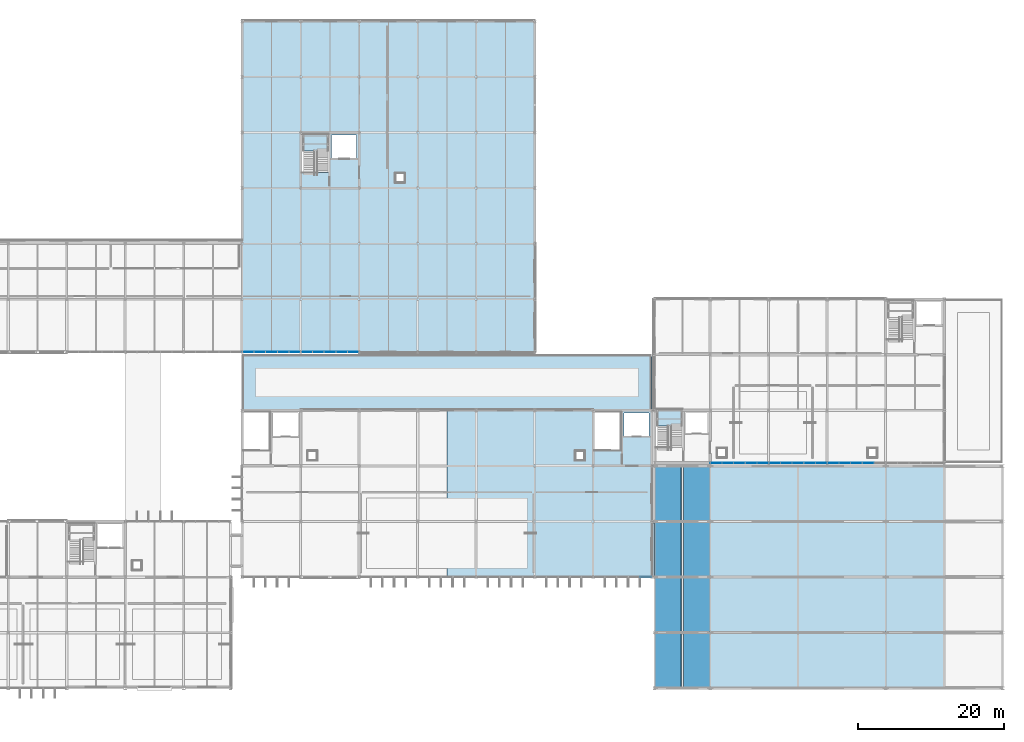
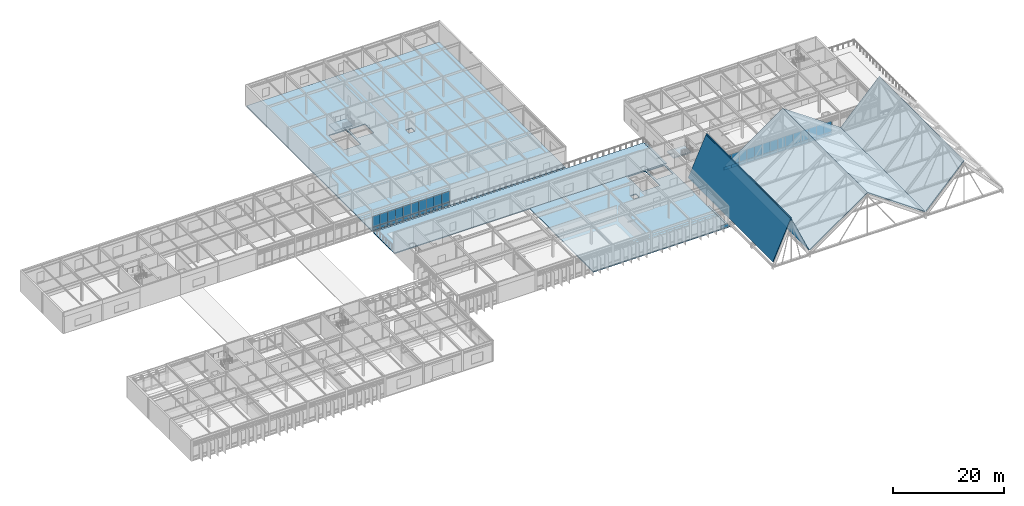
# One storey, part 74 of 100: 49 plates, 12 slabs, 9 elements without a shape of their own.
"""IFC4 building model written with IfcOpenShell, lengths in metres."""

import ifcopenshell
import ifcopenshell.guid

model = None  # the IFC model being written
_history = None  # IfcOwnerHistory: only IFC2X3 demands one
_inside = {}  # id of a spatial element -> (the spatial element, [elements in it])
_under = {}  # id of a project, library or spatial element -> (it, [spatial elements below it])
_declared = {}  # id of a project -> (the project, [libraries it declares])
_typed = {}  # id of a type object -> (the type object, [elements of that type])
_made_of = {}  # id of a material, layer set ... -> (it, [elements and type objects made of it])


def new_model(schema):
    """Start an empty IFC model of exactly this schema.

    Asked for "IFC4X3", IfcOpenShell would pick the latest addendum, in which some entities
    have other attributes; the version numbers below select the first issue.
    IFC2X3 requires an IfcOwnerHistory on every rooted entity: one is made here for all.
    """
    global model, _history
    if schema == "IFC4X3":
        model = ifcopenshell.file(schema_version=(4, 3, 0, 0))
    else:
        model = ifcopenshell.file(schema=schema)
    _inside.clear()
    _under.clear()
    _declared.clear()
    _typed.clear()
    _made_of.clear()
    _history = None
    if model.schema == "IFC2X3":
        org = make("IfcOrganization", Name="unknown")
        user = make(
            "IfcPersonAndOrganization",
            ThePerson=make("IfcPerson", FamilyName="unknown"),
            TheOrganization=org,
        )
        app = make(
            "IfcApplication",
            ApplicationDeveloper=org,
            Version="unknown",
            ApplicationFullName="unknown",
            ApplicationIdentifier="unknown",
        )
        _history = make(
            "IfcOwnerHistory",
            OwningUser=user,
            OwningApplication=app,
            ChangeAction="ADDED",
            CreationDate=0,
        )
    return model


def make(cls, **values):
    """One entity of the class cls with the attributes given. An attribute that is None is left unset."""
    return model.create_entity(
        cls, **{name: value for name, value in values.items() if value is not None}
    )


def rooted(cls, **values):
    """An entity with a GlobalId (a new one), such as an element, a storey or a relation."""
    return make(cls, GlobalId=ifcopenshell.guid.new(), OwnerHistory=_history, **values)


def si_unit(unit_type, name, prefix=None):
    """IfcSIUnit, for example si_unit("LENGTHUNIT", "METRE", prefix="MILLI")."""
    return make("IfcSIUnit", UnitType=unit_type, Prefix=prefix, Name=name)


def assignment(units):
    """IfcUnitAssignment: the units of a project."""
    return None if units is None else make("IfcUnitAssignment", Units=units)


def point(xyz):
    """IfcCartesianPoint."""
    return None if xyz is None else make("IfcCartesianPoint", Coordinates=xyz)


def direction(xyz):
    """IfcDirection."""
    return None if xyz is None else make("IfcDirection", DirectionRatios=xyz)


def frame(location, z_axis=None, x_axis=None):
    """IfcAxis2Placement3D, a coordinate frame: its origin and axes. An axis left out is left unset."""
    return make(
        "IfcAxis2Placement3D",
        Location=point(location),
        Axis=direction(z_axis),
        RefDirection=direction(x_axis),
    )


def frame_2d(location, x_axis=None):
    """IfcAxis2Placement2D, a coordinate frame in the plane: its origin and x axis."""
    return make(
        "IfcAxis2Placement2D", Location=point(location), RefDirection=direction(x_axis)
    )


def origin():
    """The frame at (0, 0, 0) with its axes left unset."""
    return frame((0.0, 0.0, 0.0))


def origin_2d():
    """The frame at (0, 0) in the plane with its x axis left unset."""
    return frame_2d((0.0, 0.0))


def place(relative_to, where):
    """IfcLocalPlacement: puts the frame where relative to a parent placement (None: the world)."""
    return make(
        "IfcLocalPlacement", PlacementRelTo=relative_to, RelativePlacement=where
    )


def context(
    kind, dimensions, precision=None, world=None, true_north=None, identifier=None
):
    """IfcGeometricRepresentationContext, for example the 3D "Model" context."""
    return make(
        "IfcGeometricRepresentationContext",
        ContextIdentifier=identifier,
        ContextType=kind,
        CoordinateSpaceDimension=dimensions,
        Precision=precision,
        WorldCoordinateSystem=world,
        TrueNorth=true_north,
    )


def subcontext(parent, identifier, kind, view, scale=None):
    """IfcGeometricRepresentationSubContext, for example "Body" below "Model"."""
    return make(
        "IfcGeometricRepresentationSubContext",
        ContextIdentifier=identifier,
        ContextType=kind,
        ParentContext=parent,
        TargetScale=scale,
        TargetView=view,
    )


def project(units=None, contexts=None):
    """IfcProject with its units and contexts."""
    return rooted(
        "IfcProject",
        Name="project",
        RepresentationContexts=contexts,
        UnitsInContext=assignment(units),
    )


def spatial(cls, under=None, at=None, **own):
    """A site, building, storey or space (cls), placed at a placement, below another one or the project."""
    s = rooted(cls, ObjectPlacement=at, **own)
    if under is not None:
        _under.setdefault(under.id(), (under, []))[1].append(s)
    return s


def polyline(points):
    """IfcPolyline through the points."""
    return make("IfcPolyline", Points=[point(p) for p in points])


def profile(cls, at=None, kind="AREA", **sizes):
    """A parametric profile (cls). Its sizes go by their IFC names, for example OverallWidth=200.0."""
    return make(cls, ProfileType=kind, Position=at, **sizes)


def rectangle(**sizes):
    """IfcRectangleProfileDef."""
    return profile("IfcRectangleProfileDef", **sizes)


def outline(outer, holes=None, kind="AREA"):
    """IfcArbitraryClosedProfileDef: a profile drawn as a closed curve; with holes, ...WithVoids."""
    if holes is None:
        return make("IfcArbitraryClosedProfileDef", ProfileType=kind, OuterCurve=outer)
    return make(
        "IfcArbitraryProfileDefWithVoids",
        ProfileType=kind,
        OuterCurve=outer,
        InnerCurves=holes,
    )


def extrude(swept, where, along, depth):
    """IfcExtrudedAreaSolid: the profile swept, set in the frame where, extruded along a direction by depth."""
    return make(
        "IfcExtrudedAreaSolid",
        SweptArea=swept,
        Position=where,
        ExtrudedDirection=direction(along),
        Depth=depth,
    )


def shape(context_of_items, identifier, shape_type, items):
    """IfcShapeRepresentation: the items that make up one representation, for example the "Body"."""
    return make(
        "IfcShapeRepresentation",
        ContextOfItems=context_of_items,
        RepresentationIdentifier=identifier,
        RepresentationType=shape_type,
        Items=items,
    )


def material(Name=None, Category=None):
    """IfcMaterial."""
    return make("IfcMaterial", Name=Name, Category=Category)


def layer(
    of_material, thickness, ventilated=None, Name=None, Category=None, Priority=None
):
    """IfcMaterialLayer: one layer of a wall or slab, of a material (None: an air gap)."""
    return make(
        "IfcMaterialLayer",
        Material=of_material,
        LayerThickness=thickness,
        IsVentilated=ventilated,
        Name=Name,
        Category=Category,
        Priority=Priority,
    )


def layer_set(layers, Name=None):
    """IfcMaterialLayerSet."""
    return make("IfcMaterialLayerSet", MaterialLayers=layers, LayerSetName=Name)


def made_of(thing, what):
    """Note that an element or type object is made of a material, layer set ...; save() writes the relation."""
    if what is not None:
        _made_of.setdefault(what.id(), (what, []))[1].append(thing)
    return thing


def type_object(cls, material=None, **own):
    """A type object (cls), such as IfcWallType, which elements share."""
    return made_of(rooted(cls, **own), material)


def element(
    cls,
    number,
    at=None,
    inside=None,
    cuts=None,
    type_object=None,
    material=None,
    context=None,
    identifier="Body",
    shape_type=None,
    held_by="IfcProductDefinitionShape",
    body=None,
    shapes=None,
    **own,
):
    """One element of the class cls, such as IfcWall. Its Tag is "e" and its number.

    at: its placement. inside: the storey or other place that contains it. cuts: it is an
    opening in that element (IfcRelVoidsElement). A single representation is given by context,
    identifier, shape_type and body (its items); several are given by shapes. held_by: the class
    of the entity that holds the representations. save() writes the other relations.
    """
    e = rooted(cls, Tag="e%d" % number, ObjectPlacement=at, **own)
    if body is not None:
        shapes = [shape(context, identifier, shape_type, body)]
    if shapes is not None:
        e.Representation = make(held_by, Representations=shapes)
    if inside is not None:
        _inside.setdefault(inside.id(), (inside, []))[1].append(e)
    if cuts is not None:
        rooted(
            "IfcRelVoidsElement", RelatingBuildingElement=cuts, RelatedOpeningElement=e
        )
    if type_object is not None:
        _typed.setdefault(type_object.id(), (type_object, []))[1].append(e)
    return made_of(e, material)


def aggregate(whole, parts):
    """IfcRelAggregates: a whole, such as a stair, and the parts it consists of."""
    return rooted("IfcRelAggregates", RelatingObject=whole, RelatedObjects=parts)


def save(model, path):
    """Write the relations noted so far, then the file.

    IfcRelAggregates (storeys below a building ...), IfcRelContainedInSpatialStructure (elements
    in a storey), IfcRelDefinesByType, IfcRelAssociatesMaterial and IfcRelDeclares: one each for
    every whole, place, type object, material and project.
    """
    for whole, parts in _under.values():
        aggregate(whole, parts)
    for where, things in _inside.values():
        rooted(
            "IfcRelContainedInSpatialStructure",
            RelatedElements=things,
            RelatingStructure=where,
        )
    for kind, things in _typed.values():
        rooted("IfcRelDefinesByType", RelatedObjects=things, RelatingType=kind)
    for what, things in _made_of.values():
        rooted("IfcRelAssociatesMaterial", RelatedObjects=things, RelatingMaterial=what)
    for by, libraries in _declared.values():
        rooted("IfcRelDeclares", RelatingContext=by, RelatedDefinitions=libraries)
    model.write(path)


model = new_model("IFC4")

# Units and contexts
model_context = context("Model", 3, precision=1e-05, world=origin(), true_north=direction((0.0, 1.0)))
body_context = subcontext(model_context, "Body", "Model", "MODEL_VIEW")
ifc_project = project(units=[si_unit("LENGTHUNIT", "METRE"), si_unit("AREAUNIT", "SQUARE_METRE"), si_unit("VOLUMEUNIT", "CUBIC_METRE"), si_unit("PLANEANGLEUNIT", "RADIAN"), si_unit("MASSUNIT", "GRAM", prefix="KILO")], contexts=[model_context])

# Site, building, storey
site_placement = place(None, origin())
site = spatial("IfcSite", under=ifc_project, at=site_placement, CompositionType="ELEMENT")
building_placement = place(site_placement, origin())
building = spatial("IfcBuilding", under=site, at=building_placement, Name="Zulena Civic Courthouse", CompositionType="ELEMENT")
storey_placement = place(building_placement, frame((0.0, 0.0, 20.39990234375)))
storey = spatial("IfcBuildingStorey", under=building, at=storey_placement, Name="L04", CompositionType="ELEMENT", Elevation=20.39990234375)

# Slabs
ifc_material_1 = material(Name="Concrete C35/45", Category="concrete")
ifc_layer_1 = layer(ifc_material_1, 0.169921875)
ifc_layer_set_1 = layer_set([ifc_layer_1], Name="Concrete C35/45")
slab_type_1 = type_object("IfcSlabType", Name="BridgeRoofSlab_170", PredefinedType="ROOF", material=ifc_layer_set_1)
slab_1_placement = place(storey_placement, frame((0.0, 0.0, -0.169921875)))
element("IfcSlab", 1, at=slab_1_placement, inside=storey, type_object=slab_type_1, Name="slab:bridgeroof:BR-41", PredefinedType="ROOF", context=body_context, shape_type="SweptSolid", body=[
    extrude(outline(polyline([(124.0, 15.199951171875), (124.39990234375, 15.199951171875), (124.39990234375, 22.60009765625), (124.0, 22.60009765625), (124.0, 15.199951171875)])), origin(), (0.0, 0.0, 1.0), 0.169921875),
])
slab_2_placement = place(storey_placement, frame((0.0, 0.0, -0.169921875)))
element("IfcSlab", 2, at=slab_2_placement, inside=storey, type_object=slab_type_1, Name="slab:bridgeroof:BR-43", PredefinedType="ROOF", context=body_context, shape_type="SweptSolid", body=[
    extrude(outline(polyline([(124.0, 38.0), (124.39990234375, 38.0), (124.39990234375, 45.39990234375), (124.0, 45.39990234375), (124.0, 38.0)])), origin(), (0.0, 0.0, 1.0), 0.169921875),
])

# Curtain wall, plates
ifc_material_2 = material(Name="Double-silver low-E laminated solar-control glass", Category="glass")
curtain_wall_type_1 = type_object("IfcCurtainWallType", Name="CW_7976x3635", PredefinedType="USERDEFINED", material=ifc_material_2)
curtain_wall_1_placement = place(storey_placement, origin())
curtain_wall_1 = element("IfcCurtainWall", 3, at=curtain_wall_1_placement, inside=storey, type_object=curtain_wall_type_1, Name="cw:V3:L04:3:1", ObjectType="UNITISED CURTAIN WALL", PredefinedType="USERDEFINED")
ifc_material_3 = material(Name="Ceramic-fritted insulated spandrel glass", Category="glass")
ifc_layer_2 = layer(ifc_material_3, 0.0458984375)
ifc_layer_set_2 = layer_set([ifc_layer_2], Name="Ceramic-fritted insulated spandrel glass")
plate_type_1 = type_object("IfcPlateType", Name="CWPanel_Spandrel_46", PredefinedType="CURTAIN_PANEL", material=ifc_layer_set_2)
plate_1_placement = place(storey_placement, frame((153.59521484375, 30.800048828125, 0.070068359375), z_axis=(0.0, 0.0, 1.0), x_axis=(-1.0, 0.0, 0.0)))
plate_1 = element("IfcPlate", 4, at=plate_1_placement, type_object=plate_type_1, Name="cw:V3:L04:3:1:panS:1", PredefinedType="CURTAIN_PANEL", context=body_context, shape_type="SweptSolid", body=[
    extrude(rectangle(XDim=1.544921875, YDim=0.0458984375, at=origin_2d()), origin(), (0.0, 0.0, 1.0), 0.669921875),
])
plate_2_placement = place(storey_placement, frame((152.0, 30.800048828125, 0.070068359375), z_axis=(0.0, 0.0, 1.0), x_axis=(-1.0, 0.0, 0.0)))
plate_2 = element("IfcPlate", 5, at=plate_2_placement, type_object=plate_type_1, Name="cw:V3:L04:3:1:panS:2", PredefinedType="CURTAIN_PANEL", context=body_context, shape_type="SweptSolid", body=[
    extrude(rectangle(XDim=1.544921875, YDim=0.0458984375, at=origin_2d()), origin(), (0.0, 0.0, 1.0), 0.669921875),
])
plate_3_placement = place(storey_placement, frame((150.40478515625, 30.800048828125, 0.070068359375), z_axis=(0.0, 0.0, 1.0), x_axis=(-1.0, 0.0, 0.0)))
plate_3 = element("IfcPlate", 6, at=plate_3_placement, type_object=plate_type_1, Name="cw:V3:L04:3:1:panS:3", PredefinedType="CURTAIN_PANEL", context=body_context, shape_type="SweptSolid", body=[
    extrude(rectangle(XDim=1.544921875, YDim=0.0458984375, at=origin_2d()), origin(), (0.0, 0.0, 1.0), 0.669921875),
])
plate_4_placement = place(storey_placement, frame((148.8095703125, 30.800048828125, 0.070068359375), z_axis=(0.0, 0.0, 1.0), x_axis=(-1.0, 0.0, 0.0)))
plate_4 = element("IfcPlate", 7, at=plate_4_placement, type_object=plate_type_1, Name="cw:V3:L04:3:1:panS:4", PredefinedType="CURTAIN_PANEL", context=body_context, shape_type="SweptSolid", body=[
    extrude(rectangle(XDim=1.544921875, YDim=0.0458984375, at=origin_2d()), origin(), (0.0, 0.0, 1.0), 0.669921875),
])

curtain_wall_2_placement = place(storey_placement, origin())
curtain_wall_2 = element("IfcCurtainWall", 8, at=curtain_wall_2_placement, inside=storey, type_object=curtain_wall_type_1, Name="cw:V3:L04:3:2", ObjectType="UNITISED CURTAIN WALL", PredefinedType="USERDEFINED")
plate_5_placement = place(storey_placement, frame((147.1904296875, 30.800048828125, 0.070068359375), z_axis=(0.0, 0.0, 1.0), x_axis=(-1.0, 0.0, 0.0)))
plate_5 = element("IfcPlate", 9, at=plate_5_placement, type_object=plate_type_1, Name="cw:V3:L04:3:2:panS:0", PredefinedType="CURTAIN_PANEL", context=body_context, shape_type="SweptSolid", body=[
    extrude(rectangle(XDim=1.544921875, YDim=0.0458984375, at=origin_2d()), origin(), (0.0, 0.0, 1.0), 0.669921875),
])
plate_6_placement = place(storey_placement, frame((145.59521484375, 30.800048828125, 0.070068359375), z_axis=(0.0, 0.0, 1.0), x_axis=(-1.0, 0.0, 0.0)))
plate_6 = element("IfcPlate", 10, at=plate_6_placement, type_object=plate_type_1, Name="cw:V3:L04:3:2:panS:1", PredefinedType="CURTAIN_PANEL", context=body_context, shape_type="SweptSolid", body=[
    extrude(rectangle(XDim=1.544921875, YDim=0.0458984375, at=origin_2d()), origin(), (0.0, 0.0, 1.0), 0.669921875),
])
plate_7_placement = place(storey_placement, frame((144.0, 30.800048828125, 0.070068359375), z_axis=(0.0, 0.0, 1.0), x_axis=(-1.0, 0.0, 0.0)))
plate_7 = element("IfcPlate", 11, at=plate_7_placement, type_object=plate_type_1, Name="cw:V3:L04:3:2:panS:2", PredefinedType="CURTAIN_PANEL", context=body_context, shape_type="SweptSolid", body=[
    extrude(rectangle(XDim=1.544921875, YDim=0.0458984375, at=origin_2d()), origin(), (0.0, 0.0, 1.0), 0.669921875),
])
plate_8_placement = place(storey_placement, frame((142.40478515625, 30.800048828125, 0.070068359375), z_axis=(0.0, 0.0, 1.0), x_axis=(-1.0, 0.0, 0.0)))
plate_8 = element("IfcPlate", 12, at=plate_8_placement, type_object=plate_type_1, Name="cw:V3:L04:3:2:panS:3", PredefinedType="CURTAIN_PANEL", context=body_context, shape_type="SweptSolid", body=[
    extrude(rectangle(XDim=1.544921875, YDim=0.0458984375, at=origin_2d()), origin(), (0.0, 0.0, 1.0), 0.669921875),
])
plate_9_placement = place(storey_placement, frame((140.8095703125, 30.800048828125, 0.070068359375), z_axis=(0.0, 0.0, 1.0), x_axis=(-1.0, 0.0, 0.0)))
plate_9 = element("IfcPlate", 13, at=plate_9_placement, type_object=plate_type_1, Name="cw:V3:L04:3:2:panS:4", PredefinedType="CURTAIN_PANEL", context=body_context, shape_type="SweptSolid", body=[
    extrude(rectangle(XDim=1.544921875, YDim=0.0458984375, at=origin_2d()), origin(), (0.0, 0.0, 1.0), 0.669921875),
])

curtain_wall_3_placement = place(storey_placement, origin())
curtain_wall_3 = element("IfcCurtainWall", 14, at=curtain_wall_3_placement, inside=storey, type_object=curtain_wall_type_1, Name="cw:V3:L04:3:3", ObjectType="UNITISED CURTAIN WALL", PredefinedType="USERDEFINED")
plate_10_placement = place(storey_placement, frame((139.1904296875, 30.800048828125, 0.070068359375), z_axis=(0.0, 0.0, 1.0), x_axis=(-1.0, 0.0, 0.0)))
plate_10 = element("IfcPlate", 15, at=plate_10_placement, type_object=plate_type_1, Name="cw:V3:L04:3:3:panS:0", PredefinedType="CURTAIN_PANEL", context=body_context, shape_type="SweptSolid", body=[
    extrude(rectangle(XDim=1.544921875, YDim=0.0458984375, at=origin_2d()), origin(), (0.0, 0.0, 1.0), 0.669921875),
])
plate_11_placement = place(storey_placement, frame((137.59521484375, 30.800048828125, 0.070068359375), z_axis=(0.0, 0.0, 1.0), x_axis=(-1.0, 0.0, 0.0)))
plate_11 = element("IfcPlate", 16, at=plate_11_placement, type_object=plate_type_1, Name="cw:V3:L04:3:3:panS:1", PredefinedType="CURTAIN_PANEL", context=body_context, shape_type="SweptSolid", body=[
    extrude(rectangle(XDim=1.544921875, YDim=0.0458984375, at=origin_2d()), origin(), (0.0, 0.0, 1.0), 0.669921875),
])
plate_12_placement = place(storey_placement, frame((136.0, 30.800048828125, 0.070068359375), z_axis=(0.0, 0.0, 1.0), x_axis=(-1.0, 0.0, 0.0)))
plate_12 = element("IfcPlate", 17, at=plate_12_placement, type_object=plate_type_1, Name="cw:V3:L04:3:3:panS:2", PredefinedType="CURTAIN_PANEL", context=body_context, shape_type="SweptSolid", body=[
    extrude(rectangle(XDim=1.544921875, YDim=0.0458984375, at=origin_2d()), origin(), (0.0, 0.0, 1.0), 0.669921875),
])
plate_13_placement = place(storey_placement, frame((134.40478515625, 30.800048828125, 0.070068359375), z_axis=(0.0, 0.0, 1.0), x_axis=(-1.0, 0.0, 0.0)))
plate_13 = element("IfcPlate", 18, at=plate_13_placement, type_object=plate_type_1, Name="cw:V3:L04:3:3:panS:3", PredefinedType="CURTAIN_PANEL", context=body_context, shape_type="SweptSolid", body=[
    extrude(rectangle(XDim=1.544921875, YDim=0.0458984375, at=origin_2d()), origin(), (0.0, 0.0, 1.0), 0.669921875),
])
plate_14_placement = place(storey_placement, frame((132.8095703125, 30.800048828125, 0.070068359375), z_axis=(0.0, 0.0, 1.0), x_axis=(-1.0, 0.0, 0.0)))
plate_14 = element("IfcPlate", 19, at=plate_14_placement, type_object=plate_type_1, Name="cw:V3:L04:3:3:panS:4", PredefinedType="CURTAIN_PANEL", context=body_context, shape_type="SweptSolid", body=[
    extrude(rectangle(XDim=1.544921875, YDim=0.0458984375, at=origin_2d()), origin(), (0.0, 0.0, 1.0), 0.669921875),
])

# Curtain wall, plate
curtain_wall_type_2 = type_object("IfcCurtainWallType", Name="CW_7976x3690", PredefinedType="USERDEFINED", material=ifc_material_2)
curtain_wall_4_placement = place(storey_placement, origin())
curtain_wall_4 = element("IfcCurtainWall", 20, at=curtain_wall_4_placement, inside=storey, type_object=curtain_wall_type_2, Name="cw:V4:L04:3:0", ObjectType="UNITISED CURTAIN WALL", PredefinedType="USERDEFINED")
plate_15_placement = place(storey_placement, frame((123.1904296875, 15.199951171875, 0.070068359375), z_axis=(0.0, 0.0, 1.0), x_axis=(-1.0, 0.0, 0.0)))
plate_15 = element("IfcPlate", 21, at=plate_15_placement, type_object=plate_type_1, Name="cw:V4:L04:3:0:panS:0", PredefinedType="CURTAIN_PANEL", context=body_context, shape_type="SweptSolid", body=[
    extrude(rectangle(XDim=1.544921875, YDim=0.0458984375, at=origin_2d()), origin(), (0.0, 0.0, 1.0), 0.669921875),
])
aggregate(curtain_wall_4, [plate_15])

# Curtain wall, plates
curtain_wall_5_placement = place(storey_placement, origin())
curtain_wall_5 = element("IfcCurtainWall", 22, at=curtain_wall_5_placement, inside=storey, type_object=curtain_wall_type_2, Name="cw:V5:L04:5:3", ObjectType="UNITISED CURTAIN WALL", PredefinedType="USERDEFINED")
plate_16_placement = place(storey_placement, frame((83.1904296875, 46.0, 0.070068359375), z_axis=(0.0, 0.0, 1.0), x_axis=(-1.0, 0.0, 0.0)))
plate_16 = element("IfcPlate", 23, at=plate_16_placement, type_object=plate_type_1, Name="cw:V5:L04:5:3:panS:0", PredefinedType="CURTAIN_PANEL", context=body_context, shape_type="SweptSolid", body=[
    extrude(rectangle(XDim=1.544921875, YDim=0.0458984375, at=origin_2d()), origin(), (0.0, 0.0, 1.0), 0.669921875),
])
plate_17_placement = place(storey_placement, frame((81.59521484375, 46.0, 0.070068359375), z_axis=(0.0, 0.0, 1.0), x_axis=(-1.0, 0.0, 0.0)))
plate_17 = element("IfcPlate", 24, at=plate_17_placement, type_object=plate_type_1, Name="cw:V5:L04:5:3:panS:1", PredefinedType="CURTAIN_PANEL", context=body_context, shape_type="SweptSolid", body=[
    extrude(rectangle(XDim=1.544921875, YDim=0.0458984375, at=origin_2d()), origin(), (0.0, 0.0, 1.0), 0.669921875),
])
plate_18_placement = place(storey_placement, frame((80.0, 46.0, 0.070068359375), z_axis=(0.0, 0.0, 1.0), x_axis=(-1.0, 0.0, 0.0)))
plate_18 = element("IfcPlate", 25, at=plate_18_placement, type_object=plate_type_1, Name="cw:V5:L04:5:3:panS:2", PredefinedType="CURTAIN_PANEL", context=body_context, shape_type="SweptSolid", body=[
    extrude(rectangle(XDim=1.544921875, YDim=0.0458984375, at=origin_2d()), origin(), (0.0, 0.0, 1.0), 0.669921875),
])
plate_19_placement = place(storey_placement, frame((78.40478515625, 46.0, 0.070068359375), z_axis=(0.0, 0.0, 1.0), x_axis=(-1.0, 0.0, 0.0)))
plate_19 = element("IfcPlate", 26, at=plate_19_placement, type_object=plate_type_1, Name="cw:V5:L04:5:3:panS:3", PredefinedType="CURTAIN_PANEL", context=body_context, shape_type="SweptSolid", body=[
    extrude(rectangle(XDim=1.544921875, YDim=0.0458984375, at=origin_2d()), origin(), (0.0, 0.0, 1.0), 0.669921875),
])
plate_20_placement = place(storey_placement, frame((76.8095703125, 46.0, 0.070068359375), z_axis=(0.0, 0.0, 1.0), x_axis=(-1.0, 0.0, 0.0)))
plate_20 = element("IfcPlate", 27, at=plate_20_placement, type_object=plate_type_1, Name="cw:V5:L04:5:3:panS:4", PredefinedType="CURTAIN_PANEL", context=body_context, shape_type="SweptSolid", body=[
    extrude(rectangle(XDim=1.544921875, YDim=0.0458984375, at=origin_2d()), origin(), (0.0, 0.0, 1.0), 0.669921875),
])

curtain_wall_6_placement = place(storey_placement, origin())
curtain_wall_6 = element("IfcCurtainWall", 28, at=curtain_wall_6_placement, inside=storey, type_object=curtain_wall_type_2, Name="cw:V5:L04:5:4", ObjectType="UNITISED CURTAIN WALL", PredefinedType="USERDEFINED")
plate_21_placement = place(storey_placement, frame((75.1904296875, 46.0, 0.070068359375), z_axis=(0.0, 0.0, 1.0), x_axis=(-1.0, 0.0, 0.0)))
plate_21 = element("IfcPlate", 29, at=plate_21_placement, type_object=plate_type_1, Name="cw:V5:L04:5:4:panS:0", PredefinedType="CURTAIN_PANEL", context=body_context, shape_type="SweptSolid", body=[
    extrude(rectangle(XDim=1.544921875, YDim=0.0458984375, at=origin_2d()), origin(), (0.0, 0.0, 1.0), 0.669921875),
])
plate_22_placement = place(storey_placement, frame((73.59521484375, 46.0, 0.070068359375), z_axis=(0.0, 0.0, 1.0), x_axis=(-1.0, 0.0, 0.0)))
plate_22 = element("IfcPlate", 30, at=plate_22_placement, type_object=plate_type_1, Name="cw:V5:L04:5:4:panS:1", PredefinedType="CURTAIN_PANEL", context=body_context, shape_type="SweptSolid", body=[
    extrude(rectangle(XDim=1.544921875, YDim=0.0458984375, at=origin_2d()), origin(), (0.0, 0.0, 1.0), 0.669921875),
])
plate_23_placement = place(storey_placement, frame((72.0, 46.0, 0.070068359375), z_axis=(0.0, 0.0, 1.0), x_axis=(-1.0, 0.0, 0.0)))
plate_23 = element("IfcPlate", 31, at=plate_23_placement, type_object=plate_type_1, Name="cw:V5:L04:5:4:panS:2", PredefinedType="CURTAIN_PANEL", context=body_context, shape_type="SweptSolid", body=[
    extrude(rectangle(XDim=1.544921875, YDim=0.0458984375, at=origin_2d()), origin(), (0.0, 0.0, 1.0), 0.669921875),
])
plate_24_placement = place(storey_placement, frame((70.40478515625, 46.0, 0.070068359375), z_axis=(0.0, 0.0, 1.0), x_axis=(-1.0, 0.0, 0.0)))
plate_24 = element("IfcPlate", 32, at=plate_24_placement, type_object=plate_type_1, Name="cw:V5:L04:5:4:panS:3", PredefinedType="CURTAIN_PANEL", context=body_context, shape_type="SweptSolid", body=[
    extrude(rectangle(XDim=1.544921875, YDim=0.0458984375, at=origin_2d()), origin(), (0.0, 0.0, 1.0), 0.669921875),
])
plate_25_placement = place(storey_placement, frame((68.8095703125, 46.0, 0.070068359375), z_axis=(0.0, 0.0, 1.0), x_axis=(-1.0, 0.0, 0.0)))
plate_25 = element("IfcPlate", 33, at=plate_25_placement, type_object=plate_type_1, Name="cw:V5:L04:5:4:panS:4", PredefinedType="CURTAIN_PANEL", context=body_context, shape_type="SweptSolid", body=[
    extrude(rectangle(XDim=1.544921875, YDim=0.0458984375, at=origin_2d()), origin(), (0.0, 0.0, 1.0), 0.669921875),
])

# Plate
ifc_layer_3 = layer(ifc_material_2, 0.035888671875)
ifc_layer_set_3 = layer_set([ifc_layer_3], Name="Double-silver low-E laminated solar-control glass")
plate_type_2 = type_object("IfcPlateType", Name="CWPanel_Vision_36", PredefinedType="CURTAIN_PANEL", material=ifc_layer_set_3)
plate_26_placement = place(storey_placement, frame((153.59521484375, 30.800048828125, 0.760009765625), z_axis=(0.0, 0.0, 1.0), x_axis=(-1.0, 0.0, 0.0)))
plate_26 = element("IfcPlate", 34, at=plate_26_placement, type_object=plate_type_2, Name="cw:V3:L04:3:1:panV:1", PredefinedType="CURTAIN_PANEL", context=body_context, shape_type="SweptSolid", body=[
    extrude(rectangle(XDim=1.544921875, YDim=0.035888671875, at=origin_2d()), origin(), (0.0, 0.0, 1.0), 2.31494140625),
])

plate_27_placement = place(storey_placement, frame((152.0, 30.800048828125, 0.760009765625), z_axis=(0.0, 0.0, 1.0), x_axis=(-1.0, 0.0, 0.0)))
plate_27 = element("IfcPlate", 35, at=plate_27_placement, type_object=plate_type_2, Name="cw:V3:L04:3:1:panV:2", PredefinedType="CURTAIN_PANEL", context=body_context, shape_type="SweptSolid", body=[
    extrude(rectangle(XDim=1.544921875, YDim=0.035888671875, at=origin_2d()), origin(), (0.0, 0.0, 1.0), 2.31494140625),
])

plate_28_placement = place(storey_placement, frame((150.40478515625, 30.800048828125, 0.760009765625), z_axis=(0.0, 0.0, 1.0), x_axis=(-1.0, 0.0, 0.0)))
plate_28 = element("IfcPlate", 36, at=plate_28_placement, type_object=plate_type_2, Name="cw:V3:L04:3:1:panV:3", PredefinedType="CURTAIN_PANEL", context=body_context, shape_type="SweptSolid", body=[
    extrude(rectangle(XDim=1.544921875, YDim=0.035888671875, at=origin_2d()), origin(), (0.0, 0.0, 1.0), 2.31494140625),
])

plate_29_placement = place(storey_placement, frame((148.8095703125, 30.800048828125, 0.760009765625), z_axis=(0.0, 0.0, 1.0), x_axis=(-1.0, 0.0, 0.0)))
plate_29 = element("IfcPlate", 37, at=plate_29_placement, type_object=plate_type_2, Name="cw:V3:L04:3:1:panV:4", PredefinedType="CURTAIN_PANEL", context=body_context, shape_type="SweptSolid", body=[
    extrude(rectangle(XDim=1.544921875, YDim=0.035888671875, at=origin_2d()), origin(), (0.0, 0.0, 1.0), 2.31494140625),
])

aggregate(curtain_wall_1, [plate_26, plate_1, plate_27, plate_2, plate_28, plate_3, plate_29, plate_4])

plate_30_placement = place(storey_placement, frame((147.1904296875, 30.800048828125, 0.760009765625), z_axis=(0.0, 0.0, 1.0), x_axis=(-1.0, 0.0, 0.0)))
plate_30 = element("IfcPlate", 38, at=plate_30_placement, type_object=plate_type_2, Name="cw:V3:L04:3:2:panV:0", PredefinedType="CURTAIN_PANEL", context=body_context, shape_type="SweptSolid", body=[
    extrude(rectangle(XDim=1.544921875, YDim=0.035888671875, at=origin_2d()), origin(), (0.0, 0.0, 1.0), 2.31494140625),
])

plate_31_placement = place(storey_placement, frame((145.59521484375, 30.800048828125, 0.760009765625), z_axis=(0.0, 0.0, 1.0), x_axis=(-1.0, 0.0, 0.0)))
plate_31 = element("IfcPlate", 39, at=plate_31_placement, type_object=plate_type_2, Name="cw:V3:L04:3:2:panV:1", PredefinedType="CURTAIN_PANEL", context=body_context, shape_type="SweptSolid", body=[
    extrude(rectangle(XDim=1.544921875, YDim=0.035888671875, at=origin_2d()), origin(), (0.0, 0.0, 1.0), 2.31494140625),
])

plate_32_placement = place(storey_placement, frame((144.0, 30.800048828125, 0.760009765625), z_axis=(0.0, 0.0, 1.0), x_axis=(-1.0, 0.0, 0.0)))
plate_32 = element("IfcPlate", 40, at=plate_32_placement, type_object=plate_type_2, Name="cw:V3:L04:3:2:panV:2", PredefinedType="CURTAIN_PANEL", context=body_context, shape_type="SweptSolid", body=[
    extrude(rectangle(XDim=1.544921875, YDim=0.035888671875, at=origin_2d()), origin(), (0.0, 0.0, 1.0), 2.31494140625),
])

plate_33_placement = place(storey_placement, frame((142.40478515625, 30.800048828125, 0.760009765625), z_axis=(0.0, 0.0, 1.0), x_axis=(-1.0, 0.0, 0.0)))
plate_33 = element("IfcPlate", 41, at=plate_33_placement, type_object=plate_type_2, Name="cw:V3:L04:3:2:panV:3", PredefinedType="CURTAIN_PANEL", context=body_context, shape_type="SweptSolid", body=[
    extrude(rectangle(XDim=1.544921875, YDim=0.035888671875, at=origin_2d()), origin(), (0.0, 0.0, 1.0), 2.31494140625),
])

plate_34_placement = place(storey_placement, frame((140.8095703125, 30.800048828125, 0.760009765625), z_axis=(0.0, 0.0, 1.0), x_axis=(-1.0, 0.0, 0.0)))
plate_34 = element("IfcPlate", 42, at=plate_34_placement, type_object=plate_type_2, Name="cw:V3:L04:3:2:panV:4", PredefinedType="CURTAIN_PANEL", context=body_context, shape_type="SweptSolid", body=[
    extrude(rectangle(XDim=1.544921875, YDim=0.035888671875, at=origin_2d()), origin(), (0.0, 0.0, 1.0), 2.31494140625),
])

aggregate(curtain_wall_2, [plate_30, plate_5, plate_31, plate_6, plate_32, plate_7, plate_33, plate_8, plate_34, plate_9])

plate_35_placement = place(storey_placement, frame((139.1904296875, 30.800048828125, 0.760009765625), z_axis=(0.0, 0.0, 1.0), x_axis=(-1.0, 0.0, 0.0)))
plate_35 = element("IfcPlate", 43, at=plate_35_placement, type_object=plate_type_2, Name="cw:V3:L04:3:3:panV:0", PredefinedType="CURTAIN_PANEL", context=body_context, shape_type="SweptSolid", body=[
    extrude(rectangle(XDim=1.544921875, YDim=0.035888671875, at=origin_2d()), origin(), (0.0, 0.0, 1.0), 2.31494140625),
])

plate_36_placement = place(storey_placement, frame((137.59521484375, 30.800048828125, 0.760009765625), z_axis=(0.0, 0.0, 1.0), x_axis=(-1.0, 0.0, 0.0)))
plate_36 = element("IfcPlate", 44, at=plate_36_placement, type_object=plate_type_2, Name="cw:V3:L04:3:3:panV:1", PredefinedType="CURTAIN_PANEL", context=body_context, shape_type="SweptSolid", body=[
    extrude(rectangle(XDim=1.544921875, YDim=0.035888671875, at=origin_2d()), origin(), (0.0, 0.0, 1.0), 2.31494140625),
])

plate_37_placement = place(storey_placement, frame((136.0, 30.800048828125, 0.760009765625), z_axis=(0.0, 0.0, 1.0), x_axis=(-1.0, 0.0, 0.0)))
plate_37 = element("IfcPlate", 45, at=plate_37_placement, type_object=plate_type_2, Name="cw:V3:L04:3:3:panV:2", PredefinedType="CURTAIN_PANEL", context=body_context, shape_type="SweptSolid", body=[
    extrude(rectangle(XDim=1.544921875, YDim=0.035888671875, at=origin_2d()), origin(), (0.0, 0.0, 1.0), 2.31494140625),
])

plate_38_placement = place(storey_placement, frame((134.40478515625, 30.800048828125, 0.760009765625), z_axis=(0.0, 0.0, 1.0), x_axis=(-1.0, 0.0, 0.0)))
plate_38 = element("IfcPlate", 46, at=plate_38_placement, type_object=plate_type_2, Name="cw:V3:L04:3:3:panV:3", PredefinedType="CURTAIN_PANEL", context=body_context, shape_type="SweptSolid", body=[
    extrude(rectangle(XDim=1.544921875, YDim=0.035888671875, at=origin_2d()), origin(), (0.0, 0.0, 1.0), 2.31494140625),
])

plate_39_placement = place(storey_placement, frame((132.8095703125, 30.800048828125, 0.760009765625), z_axis=(0.0, 0.0, 1.0), x_axis=(-1.0, 0.0, 0.0)))
plate_39 = element("IfcPlate", 47, at=plate_39_placement, type_object=plate_type_2, Name="cw:V3:L04:3:3:panV:4", PredefinedType="CURTAIN_PANEL", context=body_context, shape_type="SweptSolid", body=[
    extrude(rectangle(XDim=1.544921875, YDim=0.035888671875, at=origin_2d()), origin(), (0.0, 0.0, 1.0), 2.31494140625),
])

aggregate(curtain_wall_3, [plate_35, plate_10, plate_36, plate_11, plate_37, plate_12, plate_38, plate_13, plate_39, plate_14])

plate_40_placement = place(storey_placement, frame((83.1904296875, 46.0, 0.760009765625), z_axis=(0.0, 0.0, 1.0), x_axis=(-1.0, 0.0, 0.0)))
plate_40 = element("IfcPlate", 48, at=plate_40_placement, type_object=plate_type_2, Name="cw:V5:L04:5:3:panV:0", PredefinedType="CURTAIN_PANEL", context=body_context, shape_type="SweptSolid", body=[
    extrude(rectangle(XDim=1.544921875, YDim=0.035888671875, at=origin_2d()), origin(), (0.0, 0.0, 1.0), 2.3701171875),
])

plate_41_placement = place(storey_placement, frame((81.59521484375, 46.0, 0.760009765625), z_axis=(0.0, 0.0, 1.0), x_axis=(-1.0, 0.0, 0.0)))
plate_41 = element("IfcPlate", 49, at=plate_41_placement, type_object=plate_type_2, Name="cw:V5:L04:5:3:panV:1", PredefinedType="CURTAIN_PANEL", context=body_context, shape_type="SweptSolid", body=[
    extrude(rectangle(XDim=1.544921875, YDim=0.035888671875, at=origin_2d()), origin(), (0.0, 0.0, 1.0), 2.3701171875),
])

plate_42_placement = place(storey_placement, frame((80.0, 46.0, 0.760009765625), z_axis=(0.0, 0.0, 1.0), x_axis=(-1.0, 0.0, 0.0)))
plate_42 = element("IfcPlate", 50, at=plate_42_placement, type_object=plate_type_2, Name="cw:V5:L04:5:3:panV:2", PredefinedType="CURTAIN_PANEL", context=body_context, shape_type="SweptSolid", body=[
    extrude(rectangle(XDim=1.544921875, YDim=0.035888671875, at=origin_2d()), origin(), (0.0, 0.0, 1.0), 2.3701171875),
])

plate_43_placement = place(storey_placement, frame((78.40478515625, 46.0, 0.760009765625), z_axis=(0.0, 0.0, 1.0), x_axis=(-1.0, 0.0, 0.0)))
plate_43 = element("IfcPlate", 51, at=plate_43_placement, type_object=plate_type_2, Name="cw:V5:L04:5:3:panV:3", PredefinedType="CURTAIN_PANEL", context=body_context, shape_type="SweptSolid", body=[
    extrude(rectangle(XDim=1.544921875, YDim=0.035888671875, at=origin_2d()), origin(), (0.0, 0.0, 1.0), 2.3701171875),
])

plate_44_placement = place(storey_placement, frame((76.8095703125, 46.0, 0.760009765625), z_axis=(0.0, 0.0, 1.0), x_axis=(-1.0, 0.0, 0.0)))
plate_44 = element("IfcPlate", 52, at=plate_44_placement, type_object=plate_type_2, Name="cw:V5:L04:5:3:panV:4", PredefinedType="CURTAIN_PANEL", context=body_context, shape_type="SweptSolid", body=[
    extrude(rectangle(XDim=1.544921875, YDim=0.035888671875, at=origin_2d()), origin(), (0.0, 0.0, 1.0), 2.3701171875),
])

aggregate(curtain_wall_5, [plate_40, plate_16, plate_41, plate_17, plate_42, plate_18, plate_43, plate_19, plate_44, plate_20])

plate_45_placement = place(storey_placement, frame((75.1904296875, 46.0, 0.760009765625), z_axis=(0.0, 0.0, 1.0), x_axis=(-1.0, 0.0, 0.0)))
plate_45 = element("IfcPlate", 53, at=plate_45_placement, type_object=plate_type_2, Name="cw:V5:L04:5:4:panV:0", PredefinedType="CURTAIN_PANEL", context=body_context, shape_type="SweptSolid", body=[
    extrude(rectangle(XDim=1.544921875, YDim=0.035888671875, at=origin_2d()), origin(), (0.0, 0.0, 1.0), 2.3701171875),
])

plate_46_placement = place(storey_placement, frame((73.59521484375, 46.0, 0.760009765625), z_axis=(0.0, 0.0, 1.0), x_axis=(-1.0, 0.0, 0.0)))
plate_46 = element("IfcPlate", 54, at=plate_46_placement, type_object=plate_type_2, Name="cw:V5:L04:5:4:panV:1", PredefinedType="CURTAIN_PANEL", context=body_context, shape_type="SweptSolid", body=[
    extrude(rectangle(XDim=1.544921875, YDim=0.035888671875, at=origin_2d()), origin(), (0.0, 0.0, 1.0), 2.3701171875),
])

plate_47_placement = place(storey_placement, frame((72.0, 46.0, 0.760009765625), z_axis=(0.0, 0.0, 1.0), x_axis=(-1.0, 0.0, 0.0)))
plate_47 = element("IfcPlate", 55, at=plate_47_placement, type_object=plate_type_2, Name="cw:V5:L04:5:4:panV:2", PredefinedType="CURTAIN_PANEL", context=body_context, shape_type="SweptSolid", body=[
    extrude(rectangle(XDim=1.544921875, YDim=0.035888671875, at=origin_2d()), origin(), (0.0, 0.0, 1.0), 2.3701171875),
])

plate_48_placement = place(storey_placement, frame((70.40478515625, 46.0, 0.760009765625), z_axis=(0.0, 0.0, 1.0), x_axis=(-1.0, 0.0, 0.0)))
plate_48 = element("IfcPlate", 56, at=plate_48_placement, type_object=plate_type_2, Name="cw:V5:L04:5:4:panV:3", PredefinedType="CURTAIN_PANEL", context=body_context, shape_type="SweptSolid", body=[
    extrude(rectangle(XDim=1.544921875, YDim=0.035888671875, at=origin_2d()), origin(), (0.0, 0.0, 1.0), 2.3701171875),
])

plate_49_placement = place(storey_placement, frame((68.8095703125, 46.0, 0.760009765625), z_axis=(0.0, 0.0, 1.0), x_axis=(-1.0, 0.0, 0.0)))
plate_49 = element("IfcPlate", 57, at=plate_49_placement, type_object=plate_type_2, Name="cw:V5:L04:5:4:panV:4", PredefinedType="CURTAIN_PANEL", context=body_context, shape_type="SweptSolid", body=[
    extrude(rectangle(XDim=1.544921875, YDim=0.035888671875, at=origin_2d()), origin(), (0.0, 0.0, 1.0), 2.3701171875),
])

aggregate(curtain_wall_6, [plate_45, plate_21, plate_46, plate_22, plate_47, plate_23, plate_48, plate_24, plate_49, plate_25])

# Slabs
ifc_layer_4 = layer(ifc_material_1, 0.2099609375)
ifc_layer_set_4 = layer_set([ifc_layer_4], Name="Concrete C35/45")
slab_type_2 = type_object("IfcSlabType", Name="FloorSlab_210", PredefinedType="FLOOR", material=ifc_layer_set_4)
slab_3_placement = place(storey_placement, frame((0.0, 0.0, -0.2099609375)))
element("IfcSlab", 58, at=slab_3_placement, inside=storey, type_object=slab_type_2, Name="slab:V4:L04_2", PredefinedType="FLOOR", context=body_context, shape_type="SweptSolid", body=[
    extrude(outline(polyline([(124.0, 15.199951171875), (96.0, 15.199951171875), (96.0, 38.0), (124.0, 38.0), (124.0, 15.199951171875)]), holes=[polyline([(119.81005859375, 32.52001953125), (119.81005859375, 37.81005859375), (116.18994140625, 37.81005859375), (116.18994140625, 32.52001953125), (119.81005859375, 32.52001953125)]), polyline([(120.199951171875, 34.5), (123.64990234375, 34.5), (123.64990234375, 37.64990234375), (120.199951171875, 37.64990234375), (120.199951171875, 34.5)]), polyline([(114.800048828125, 32.39990234375), (113.60009765625, 32.39990234375), (113.60009765625, 31.199951171875), (114.800048828125, 31.199951171875), (114.800048828125, 32.39990234375)])]), origin(), (0.0, 0.0, 1.0), 0.2099609375),
])
slab_4_placement = place(storey_placement, frame((0.0, 0.0, -0.2099609375)))
element("IfcSlab", 59, at=slab_4_placement, inside=storey, type_object=slab_type_2, Name="slab:V5:L04_2", PredefinedType="FLOOR", context=body_context, shape_type="SweptSolid", body=[
    extrude(outline(polyline([(68.0, 91.199951171875), (108.0, 91.199951171875), (108.0, 46.0), (68.0, 46.0), (68.0, 61.199951171875), (68.0, 91.199951171875)]), holes=[polyline([(79.81005859375, 70.52001953125), (79.81005859375, 75.81005859375), (76.18994140625, 75.81005859375), (76.18994140625, 70.52001953125), (79.81005859375, 70.52001953125)]), polyline([(80.199951171875, 72.5), (83.64990234375, 72.5), (83.64990234375, 75.64990234375), (80.199951171875, 75.64990234375), (80.199951171875, 72.5)]), polyline([(90.199951171875, 70.39990234375), (89.0, 70.39990234375), (89.0, 69.199951171875), (90.199951171875, 69.199951171875), (90.199951171875, 70.39990234375)])]), origin(), (0.0, 0.0, 1.0), 0.2099609375),
])

# Roof, slabs
ifc_material_4 = material(Name="Insulated standing-seam zinc-aluminium roofing", Category="aluminium")
ifc_layer_5 = layer(ifc_material_4, 0.175048828125)
ifc_layer_set_5 = layer_set([ifc_layer_5], Name="Insulated standing-seam zinc-aluminium roofing")
roof_type = type_object("IfcRoofType", Name="FoldedPlateRoofAssembly", PredefinedType="USERDEFINED", material=ifc_layer_set_5)
roof_placement = place(storey_placement, origin())
roof = element("IfcRoof", 60, at=roof_placement, inside=storey, type_object=roof_type, Name="roof:V1:L04", ObjectType="FOLDED PLATE ROOF", PredefinedType="USERDEFINED")
ifc_layer_6 = layer(ifc_material_1, 0.175048828125)
ifc_layer_set_6 = layer_set([ifc_layer_6], Name="Concrete C35/45")
slab_type_3 = type_object("IfcSlabType", Name="FoldedRoofPlate_175", PredefinedType="ROOF", material=ifc_layer_set_6)
slab_5_placement = place(storey_placement, frame((124.39990234375, 0.0, 1.35009765625), z_axis=(-0.911104134464, 0.0, 0.412176244054), x_axis=(0.412176244054, 0.0, 0.911104134464)))
slab_5 = element("IfcSlab", 61, at=slab_5_placement, type_object=slab_type_3, Name="slab:folded:05W", PredefinedType="ROOF", context=body_context, shape_type="SweptSolid", body=[
    extrude(outline(polyline([(0.0, 0.0), (9.219475607683494, 0.0), (9.219475607683494, 30.39990234375), (0.0, 30.39990234375), (0.0, 0.0)])), origin(), (0.0, 0.0, -1.0), 0.175048828125),
])
slab_6_placement = place(storey_placement, frame((128.199951171875, 0.0, 9.75), z_axis=(0.911104134464, 0.0, 0.412176244054), x_axis=(0.412176244054, 0.0, -0.911104134464)))
slab_6 = element("IfcSlab", 62, at=slab_6_placement, type_object=slab_type_3, Name="slab:folded:05E", PredefinedType="ROOF", context=body_context, shape_type="SweptSolid", body=[
    extrude(outline(polyline([(0.0, 0.0), (9.219475607683494, 0.0), (9.219475607683494, 30.39990234375), (0.0, 30.39990234375), (0.0, 0.0)])), origin(), (0.0, 0.0, -1.0), 0.175048828125),
])
aggregate(roof, [slab_5, slab_6])

# Slabs
for number, where, z_axis, x_axis, name in (
    (63, (132.0, 0.0, 1.35009765625), (-0.57345786989, 0.0, 0.819235052632), (0.819235052632, 0.0, 0.57345786989), "slab:folded:06W"),
    (64, (144.0, 0.0, 9.75), (0.57345786989, 0.0, 0.819235052632), (0.819235052632, 0.0, -0.57345786989), "slab:folded:06E"),
):
    element("IfcSlab", number, at=place(storey_placement, frame(where, z_axis=z_axis, x_axis=x_axis)), inside=storey, type_object=slab_type_3, Name=name, PredefinedType="ROOF", context=body_context, shape_type="SweptSolid", body=[
        extrude(outline(polyline([(0.0, 0.0), (14.647810736916856, 0.0), (14.647810736916856, 30.39990234375), (0.0, 30.39990234375), (0.0, 0.0)])), origin(), (0.0, 0.0, -1.0), 0.175048828125),
    ])
slab_7_placement = place(storey_placement, frame((156.0, 0.0, 1.35009765625), z_axis=(-0.724133926887, 0.0, 0.689659376744), x_axis=(0.689659376744, 0.0, 0.724133926887)))
element("IfcSlab", 65, at=slab_7_placement, inside=storey, type_object=slab_type_3, Name="slab:folded:07W", PredefinedType="ROOF", context=body_context, shape_type="SweptSolid", body=[
    extrude(outline(polyline([(0.0, 0.0), (11.599929283600687, 0.0), (11.599929283600687, 30.39990234375), (0.0, 30.39990234375), (0.0, 0.0)])), origin(), (0.0, 0.0, -1.0), 0.175048828125),
])

# Stair, slab
ifc_material_5 = material(Name="Precast concrete C40/50", Category="concrete")
stair_type = type_object("IfcStairType", Name="HalfTurnStair_4800", PredefinedType="HALF_TURN_STAIR", material=ifc_material_5)
stair_1_placement = place(storey_placement, origin())
stair_1 = element("IfcStair", 66, at=stair_1_placement, inside=storey, type_object=stair_type, Name="stair:K3A:L04", PredefinedType="HALF_TURN_STAIR")
ifc_layer_7 = layer(ifc_material_5, 0.280029296875)
ifc_layer_set_7 = layer_set([ifc_layer_7], Name="Precast concrete C40/50")
slab_type_4 = type_object("IfcSlabType", Name="StairLandingSlab_280", PredefinedType="LANDING", material=ifc_layer_set_7)
slab_8_placement = place(storey_placement, frame((0.0, 0.0, 2.1201171875)))
slab_8 = element("IfcSlab", 67, at=slab_8_placement, type_object=slab_type_4, Name="stair:K3A:L04:LND", PredefinedType="LANDING", context=body_context, shape_type="SweptSolid", body=[
    extrude(outline(polyline([(124.580078125, 35.89453125), (128.219970703125, 35.89453125), (128.219970703125, 38.219970703125), (124.580078125, 38.219970703125), (124.580078125, 35.89453125)])), origin(), (0.0, 0.0, 1.0), 0.280029296875),
])
aggregate(stair_1, [slab_8])

stair_2_placement = place(storey_placement, origin())
stair_2 = element("IfcStair", 68, at=stair_2_placement, inside=storey, type_object=stair_type, Name="stair:K5B:L04", PredefinedType="HALF_TURN_STAIR")
slab_9_placement = place(storey_placement, frame((0.0, 0.0, 2.1201171875)))
slab_9 = element("IfcSlab", 69, at=slab_9_placement, type_object=slab_type_4, Name="stair:K5B:L04:LND", PredefinedType="LANDING", context=body_context, shape_type="SweptSolid", body=[
    extrude(outline(polyline([(76.179931640625, 73.49462890625), (79.820068359375, 73.49462890625), (79.820068359375, 75.820068359375), (76.179931640625, 75.820068359375), (76.179931640625, 73.49462890625)])), origin(), (0.0, 0.0, 1.0), 0.280029296875),
])
aggregate(stair_2, [slab_9])

# Slab
ifc_layer_8 = layer(ifc_material_1, 0.2099609375)
ifc_layer_set_8 = layer_set([ifc_layer_8], Name="Concrete C35/45")
slab_type_5 = type_object("IfcSlabType", Name="TerraceSlab_210", PredefinedType="FLOOR", material=ifc_layer_set_8)
slab_10_placement = place(storey_placement, frame((0.0, 0.0, -0.2099609375)))
element("IfcSlab", 70, at=slab_10_placement, inside=storey, type_object=slab_type_5, Name="slab:terrace:TR-V4-L04", PredefinedType="FLOOR", context=body_context, shape_type="SweptSolid", body=[
    extrude(outline(polyline([(68.0, 38.0), (124.0, 38.0), (124.0, 45.60009765625), (68.0, 45.60009765625), (68.0, 38.0)])), origin(), (0.0, 0.0, 1.0), 0.2099609375),
])

save(model, "model.ifc")
